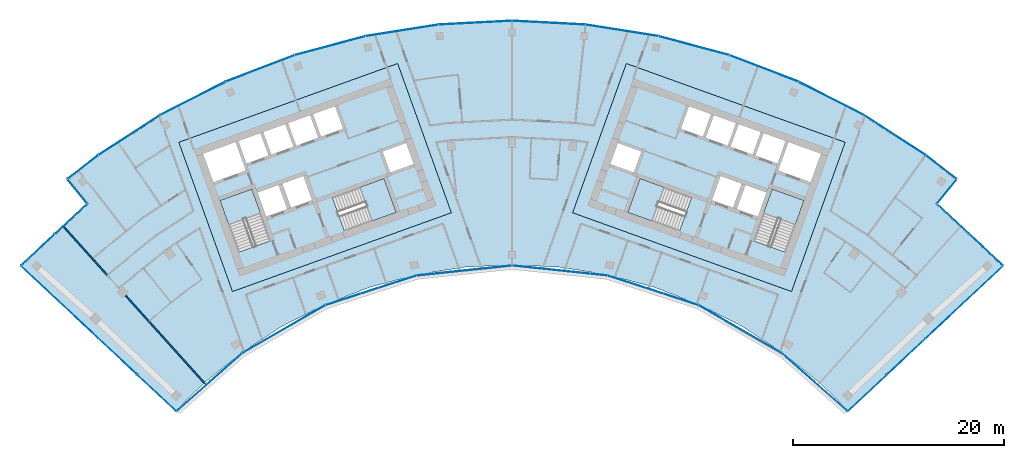
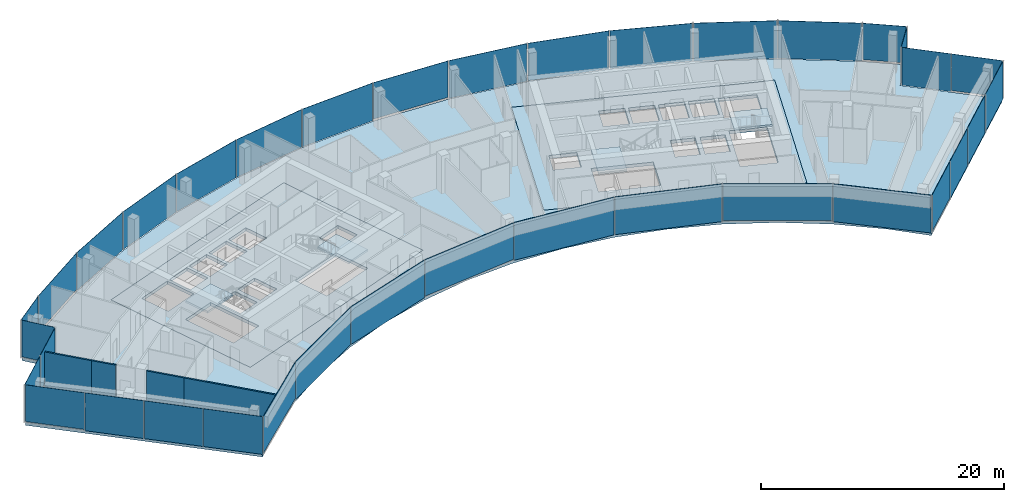
# One storey, part 11 of 18: 36 plates, 7 slabs, 4 walls, 12 elements without a shape of their own.
"""IFC4 building model written with IfcOpenShell, lengths in metres."""

from ifc_helpers import new_model, si_unit, direction, frame, frame_2d, origin, origin_2d, place, context, subcontext, project, spatial, polyline, rectangle, outline, extrude, material, layer, layer_set, type_object, element, aggregate, save


model = new_model("IFC4")

# Units and contexts
model_context = context("Model", 3, precision=1e-05, world=origin(), true_north=direction((0.0, 1.0)))
body_context = subcontext(model_context, "Body", "Model", "MODEL_VIEW")
ifc_project = project(units=[si_unit("LENGTHUNIT", "METRE"), si_unit("AREAUNIT", "SQUARE_METRE"), si_unit("VOLUMEUNIT", "CUBIC_METRE"), si_unit("PLANEANGLEUNIT", "RADIAN"), si_unit("MASSUNIT", "GRAM", prefix="KILO")], contexts=[model_context])

# Site, building, storey
site_placement = place(None, origin())
site = spatial("IfcSite", under=ifc_project, at=site_placement, CompositionType="ELEMENT")
building_placement = place(site_placement, origin())
building = spatial("IfcBuilding", under=site, at=building_placement, Name="Stone Belt Terrace Tower", CompositionType="ELEMENT")
storey_placement = place(building_placement, frame((0.0, 0.0, 299.800048828125)))
storey = spatial("IfcBuildingStorey", under=building, at=storey_placement, Name="L73", CompositionType="ELEMENT", Elevation=299.800048828125)

# Curtain wall, plates
ifc_material_1 = material(Name="Aluminium 6063-T6 anodised frame", Category="aluminium")
ifc_layer_1 = layer(ifc_material_1, 0.14990234375)
ifc_layer_set_1 = layer_set([ifc_layer_1], Name="CW-A unitised convex-face curtain wall")
curtain_wall_type_1 = type_object("IfcCurtainWallType", Name="CW-A unitised convex-face curtain wall", PredefinedType="NOTDEFINED", material=ifc_layer_set_1)
curtain_wall_1_placement = place(storey_placement, origin())
curtain_wall_1 = element("IfcCurtainWall", 1, at=curtain_wall_1_placement, inside=storey, type_object=curtain_wall_type_1, Name="CW-A convex face L73", PredefinedType="NOTDEFINED")
ifc_material_2 = material(Name="Clear double glazed unit")
ifc_layer_2 = layer(ifc_material_2, 0.031982421875)
ifc_layer_set_2 = layer_set([ifc_layer_2], Name="CW-A glass panel 32")
plate_type_1 = type_object("IfcPlateType", Name="CW-A glass panel 32", PredefinedType="CURTAIN_PANEL", material=ifc_layer_set_2)
plate_1_placement = place(storey_placement, frame((40.583251953125, 52.744140625, 0.14013671875), z_axis=(0.0, 0.0, 1.0), x_axis=(-0.792693871824, 0.60961990254, 0.0)))
plate_1 = element("IfcPlate", 2, at=plate_1_placement, type_object=plate_type_1, Name="CW-A panel 1.1", PredefinedType="CURTAIN_PANEL", context=body_context, shape_type="SweptSolid", body=[
    extrude(rectangle(XDim=3.597900390625, YDim=0.031982421875, at=origin_2d()), origin(), (0.0, 0.0, 1.0), 3.659912109375),
])
plate_2_placement = place(storey_placement, frame((36.209716796875, 55.758056640625, 0.0), z_axis=(0.0, 0.0, 1.0), x_axis=(-0.838670567945, 0.544639035015, 0.0)))
plate_2 = element("IfcPlate", 3, at=plate_2_placement, type_object=plate_type_1, Name="CW-A panel 2.1", PredefinedType="CURTAIN_PANEL", context=body_context, shape_type="SweptSolid", body=[
    extrude(rectangle(XDim=6.900634765625, YDim=0.031982421875, at=origin_2d()), origin(), (0.0, 0.0, 1.0), 3.800048828125),
])
plate_3_placement = place(storey_placement, frame((30.18310546875, 59.237548828125, 0.0), z_axis=(0.0, 0.0, 1.0), x_axis=(-0.891006524188, 0.45399049974, 0.0)))
plate_3 = element("IfcPlate", 4, at=plate_3_placement, type_object=plate_type_1, Name="CW-A panel 3.1", PredefinedType="CURTAIN_PANEL", context=body_context, shape_type="SweptSolid", body=[
    extrude(rectangle(XDim=6.90087890625, YDim=0.031982421875, at=origin_2d()), origin(), (0.0, 0.0, 1.0), 3.800048828125),
])
plate_4_placement = place(storey_placement, frame((23.82568359375, 62.068115234375, 0.0), z_axis=(0.0, 0.0, 1.0), x_axis=(-0.933580426497, 0.358367949545, 0.0)))
plate_4 = element("IfcPlate", 5, at=plate_4_placement, type_object=plate_type_1, Name="CW-A panel 4.1", PredefinedType="CURTAIN_PANEL", context=body_context, shape_type="SweptSolid", body=[
    extrude(rectangle(XDim=6.90087890625, YDim=0.031982421875, at=origin_2d()), origin(), (0.0, 0.0, 1.0), 3.800048828125),
])
plate_5_placement = place(storey_placement, frame((17.207275390625, 64.218505859375, 0.0), z_axis=(0.0, 0.0, 1.0), x_axis=(-0.965925826289, 0.258819045103, 0.0)))
plate_5 = element("IfcPlate", 6, at=plate_5_placement, type_object=plate_type_1, Name="CW-A panel 5.1", PredefinedType="CURTAIN_PANEL", context=body_context, shape_type="SweptSolid", body=[
    extrude(rectangle(XDim=6.90087890625, YDim=0.031982421875, at=origin_2d()), origin(), (0.0, 0.0, 1.0), 3.800048828125),
])
plate_6_placement = place(storey_placement, frame((10.400390625, 65.665283203125, 0.0), z_axis=(0.0, 0.0, 1.0), x_axis=(-0.987688340595, 0.15643446504, 0.0)))
plate_6 = element("IfcPlate", 7, at=plate_6_placement, type_object=plate_type_1, Name="CW-A panel 6.1", PredefinedType="CURTAIN_PANEL", context=body_context, shape_type="SweptSolid", body=[
    extrude(rectangle(XDim=6.90087890625, YDim=0.031982421875, at=origin_2d()), origin(), (0.0, 0.0, 1.0), 3.800048828125),
])
plate_7_placement = place(storey_placement, frame((3.4794921875, 66.392822265625, 0.14013671875), z_axis=(0.0, 0.0, 1.0), x_axis=(-0.998629534755, 0.052335956243, 0.0)))
plate_7 = element("IfcPlate", 8, at=plate_7_placement, type_object=plate_type_1, Name="CW-A panel 7.1", PredefinedType="CURTAIN_PANEL", context=body_context, shape_type="SweptSolid", body=[
    extrude(rectangle(XDim=6.90087890625, YDim=0.031982421875, at=origin_2d()), origin(), (0.0, 0.0, 1.0), 3.659912109375),
])
plate_8_placement = place(storey_placement, frame((-3.4794921875, 66.392822265625, 0.0), z_axis=(0.0, 0.0, 1.0), x_axis=(-0.998629534755, -0.052335956243, 0.0)))
plate_8 = element("IfcPlate", 9, at=plate_8_placement, type_object=plate_type_1, Name="CW-A panel 8.1", PredefinedType="CURTAIN_PANEL", context=body_context, shape_type="SweptSolid", body=[
    extrude(rectangle(XDim=6.90087890625, YDim=0.031982421875, at=origin_2d()), origin(), (0.0, 0.0, 1.0), 3.800048828125),
])
plate_9_placement = place(storey_placement, frame((-10.400390625, 65.665283203125, 0.0), z_axis=(0.0, 0.0, 1.0), x_axis=(-0.987688340595, -0.15643446504, 0.0)))
plate_9 = element("IfcPlate", 10, at=plate_9_placement, type_object=plate_type_1, Name="CW-A panel 9.1", PredefinedType="CURTAIN_PANEL", context=body_context, shape_type="SweptSolid", body=[
    extrude(rectangle(XDim=6.90087890625, YDim=0.031982421875, at=origin_2d()), origin(), (0.0, 0.0, 1.0), 3.800048828125),
])
plate_10_placement = place(storey_placement, frame((-17.207275390625, 64.218505859375, 0.0), z_axis=(0.0, 0.0, 1.0), x_axis=(-0.965925826289, -0.258819045103, 0.0)))
plate_10 = element("IfcPlate", 11, at=plate_10_placement, type_object=plate_type_1, Name="CW-A panel 10.1", PredefinedType="CURTAIN_PANEL", context=body_context, shape_type="SweptSolid", body=[
    extrude(rectangle(XDim=6.90087890625, YDim=0.031982421875, at=origin_2d()), origin(), (0.0, 0.0, 1.0), 3.800048828125),
])
plate_11_placement = place(storey_placement, frame((-23.82568359375, 62.068115234375, 0.0), z_axis=(0.0, 0.0, 1.0), x_axis=(-0.933580426497, -0.358367949545, 0.0)))
plate_11 = element("IfcPlate", 12, at=plate_11_placement, type_object=plate_type_1, Name="CW-A panel 11.1", PredefinedType="CURTAIN_PANEL", context=body_context, shape_type="SweptSolid", body=[
    extrude(rectangle(XDim=6.90087890625, YDim=0.031982421875, at=origin_2d()), origin(), (0.0, 0.0, 1.0), 3.800048828125),
])
plate_12_placement = place(storey_placement, frame((-30.18310546875, 59.237548828125, 0.0), z_axis=(0.0, 0.0, 1.0), x_axis=(-0.891006524188, -0.45399049974, 0.0)))
plate_12 = element("IfcPlate", 13, at=plate_12_placement, type_object=plate_type_1, Name="CW-A panel 12.1", PredefinedType="CURTAIN_PANEL", context=body_context, shape_type="SweptSolid", body=[
    extrude(rectangle(XDim=6.90087890625, YDim=0.031982421875, at=origin_2d()), origin(), (0.0, 0.0, 1.0), 3.800048828125),
])
plate_13_placement = place(storey_placement, frame((-36.209716796875, 55.758056640625, 0.14013671875), z_axis=(0.0, 0.0, 1.0), x_axis=(-0.838670567945, -0.544639035015, 0.0)))
plate_13 = element("IfcPlate", 14, at=plate_13_placement, type_object=plate_type_1, Name="CW-A panel 13.1", PredefinedType="CURTAIN_PANEL", context=body_context, shape_type="SweptSolid", body=[
    extrude(rectangle(XDim=6.900634765625, YDim=0.031982421875, at=origin_2d()), origin(), (0.0, 0.0, 1.0), 3.659912109375),
])
plate_14_placement = place(storey_placement, frame((-40.583251953125, 52.744140625, 0.0), z_axis=(0.0, 0.0, 1.0), x_axis=(-0.792693871824, -0.60961990254, 0.0)))
plate_14 = element("IfcPlate", 15, at=plate_14_placement, type_object=plate_type_1, Name="CW-A panel 14.1", PredefinedType="CURTAIN_PANEL", context=body_context, shape_type="SweptSolid", body=[
    extrude(rectangle(XDim=3.597900390625, YDim=0.031982421875, at=origin_2d()), origin(), (0.0, 0.0, 1.0), 3.800048828125),
])
aggregate(curtain_wall_1, [plate_1, plate_2, plate_3, plate_4, plate_5, plate_6, plate_7, plate_8, plate_9, plate_10, plate_11, plate_12, plate_13, plate_14])

ifc_layer_3 = layer(ifc_material_1, 0.14990234375)
ifc_layer_set_3 = layer_set([ifc_layer_3], Name="CW-B unitised concave-face curtain wall")
curtain_wall_type_2 = type_object("IfcCurtainWallType", Name="CW-B unitised concave-face curtain wall", PredefinedType="NOTDEFINED", material=ifc_layer_set_3)
curtain_wall_2_placement = place(storey_placement, origin())
curtain_wall_2 = element("IfcCurtainWall", 16, at=curtain_wall_2_placement, inside=storey, type_object=curtain_wall_type_2, Name="CW-B concave face L73", PredefinedType="NOTDEFINED")
ifc_layer_4 = layer(ifc_material_2, 0.030029296875)
ifc_layer_set_4 = layer_set([ifc_layer_4], Name="CW-B glass panel 30")
plate_type_2 = type_object("IfcPlateType", Name="CW-B glass panel 30", PredefinedType="CURTAIN_PANEL", material=ifc_layer_set_4)
plate_15_placement = place(storey_placement, frame((-28.624755859375, 32.39404296875, 0.1201171875), z_axis=(0.0, 0.0, 1.0), x_axis=(0.749658646805, 0.661824684694, 0.0)))
plate_15 = element("IfcPlate", 17, at=plate_15_placement, type_object=plate_type_2, Name="CW-B panel 1.1", PredefinedType="CURTAIN_PANEL", context=body_context, shape_type="SweptSolid", body=[
    extrude(rectangle(XDim=8.2060546875, YDim=0.030029296875, at=origin_2d()), origin(), (0.0, 0.0, 1.0), 3.679931640625),
])
plate_16_placement = place(storey_placement, frame((-21.59375, 37.400634765625, 0.0), z_axis=(0.0, 0.0, 1.0), x_axis=(0.866025403784, 0.5, 0.0)))
plate_16 = element("IfcPlate", 18, at=plate_16_placement, type_object=plate_type_2, Name="CW-B panel 2.1", PredefinedType="CURTAIN_PANEL", context=body_context, shape_type="SweptSolid", body=[
    extrude(rectangle(XDim=9.013427734375, YDim=0.030029296875, at=origin_2d()), origin(), (0.0, 0.0, 1.0), 3.800048828125),
])
plate_17_placement = place(storey_placement, frame((-13.345458984375, 41.072998046875, 0.0), z_axis=(0.0, 0.0, 1.0), x_axis=(0.951056516295, 0.309016994375, 0.0)))
plate_17 = element("IfcPlate", 19, at=plate_17_placement, type_object=plate_type_2, Name="CW-B panel 3.1", PredefinedType="CURTAIN_PANEL", context=body_context, shape_type="SweptSolid", body=[
    extrude(rectangle(XDim=9.0126953125, YDim=0.030029296875, at=origin_2d()), origin(), (0.0, 0.0, 1.0), 3.800048828125),
])
plate_18_placement = place(storey_placement, frame((-4.51416015625, 42.9501953125, 0.1201171875), z_axis=(0.0, 0.0, 1.0), x_axis=(0.994521895368, 0.104528463268, 0.0)))
plate_18 = element("IfcPlate", 20, at=plate_18_placement, type_object=plate_type_2, Name="CW-B panel 4.1", PredefinedType="CURTAIN_PANEL", context=body_context, shape_type="SweptSolid", body=[
    extrude(rectangle(XDim=9.0126953125, YDim=0.030029296875, at=origin_2d()), origin(), (0.0, 0.0, 1.0), 3.679931640625),
])
plate_19_placement = place(storey_placement, frame((4.51416015625, 42.9501953125, 0.0), z_axis=(0.0, 0.0, 1.0), x_axis=(0.994521895368, -0.104528463268, 0.0)))
plate_19 = element("IfcPlate", 21, at=plate_19_placement, type_object=plate_type_2, Name="CW-B panel 5.1", PredefinedType="CURTAIN_PANEL", context=body_context, shape_type="SweptSolid", body=[
    extrude(rectangle(XDim=9.0126953125, YDim=0.030029296875, at=origin_2d()), origin(), (0.0, 0.0, 1.0), 3.800048828125),
])
plate_20_placement = place(storey_placement, frame((13.345458984375, 41.072998046875, 0.0), z_axis=(0.0, 0.0, 1.0), x_axis=(0.951056516295, -0.309016994375, 0.0)))
plate_20 = element("IfcPlate", 22, at=plate_20_placement, type_object=plate_type_2, Name="CW-B panel 6.1", PredefinedType="CURTAIN_PANEL", context=body_context, shape_type="SweptSolid", body=[
    extrude(rectangle(XDim=9.0126953125, YDim=0.030029296875, at=origin_2d()), origin(), (0.0, 0.0, 1.0), 3.800048828125),
])
plate_21_placement = place(storey_placement, frame((21.59375, 37.400634765625, 0.1201171875), z_axis=(0.0, 0.0, 1.0), x_axis=(0.866025403784, -0.5, 0.0)))
plate_21 = element("IfcPlate", 23, at=plate_21_placement, type_object=plate_type_2, Name="CW-B panel 7.1", PredefinedType="CURTAIN_PANEL", context=body_context, shape_type="SweptSolid", body=[
    extrude(rectangle(XDim=9.013427734375, YDim=0.030029296875, at=origin_2d()), origin(), (0.0, 0.0, 1.0), 3.679931640625),
])
plate_22_placement = place(storey_placement, frame((28.624755859375, 32.39404296875, 0.0), z_axis=(0.0, 0.0, 1.0), x_axis=(0.749658646805, -0.661824684694, 0.0)))
plate_22 = element("IfcPlate", 24, at=plate_22_placement, type_object=plate_type_2, Name="CW-B panel 8.1", PredefinedType="CURTAIN_PANEL", context=body_context, shape_type="SweptSolid", body=[
    extrude(rectangle(XDim=8.2060546875, YDim=0.030029296875, at=origin_2d()), origin(), (0.0, 0.0, 1.0), 3.800048828125),
])
aggregate(curtain_wall_2, [plate_15, plate_16, plate_17, plate_18, plate_19, plate_20, plate_21, plate_22])

ifc_layer_5 = layer(ifc_material_1, 0.14990234375)
ifc_layer_set_5 = layer_set([ifc_layer_5], Name="CW-C stick curtain wall, horn ends and notches")
curtain_wall_type_3 = type_object("IfcCurtainWallType", Name="CW-C stick curtain wall, horn ends and notches", PredefinedType="NOTDEFINED", material=ifc_layer_set_5)
curtain_wall_3_placement = place(storey_placement, origin())
curtain_wall_3 = element("IfcCurtainWall", 25, at=curtain_wall_3_placement, inside=storey, type_object=curtain_wall_type_3, Name="CW-C end face L73", PredefinedType="NOTDEFINED")
ifc_layer_6 = layer(ifc_material_2, 0.028076171875)
ifc_layer_set_6 = layer_set([ifc_layer_6], Name="CW-C glass panel 28")
plate_type_3 = type_object("IfcPlateType", Name="CW-C glass panel 28", PredefinedType="CURTAIN_PANEL", material=ifc_layer_set_6)
plate_23_placement = place(storey_placement, frame((33.617431640625, 31.3798828125, 0.1201171875), z_axis=(0.0, 0.0, 1.0), x_axis=(0.729904219708, 0.683549434973, 0.0)))
plate_23 = element("IfcPlate", 26, at=plate_23_placement, type_object=plate_type_3, Name="CW-C panel 1.1", PredefinedType="CURTAIN_PANEL", context=body_context, shape_type="SweptSolid", body=[
    extrude(rectangle(XDim=4.965576171875, YDim=0.028076171875, at=origin_2d()), origin(), (0.0, 0.0, 1.0), 3.679931640625),
])
plate_24_placement = place(storey_placement, frame((37.2763671875, 34.806396484375, 0.0), z_axis=(0.0, 0.0, 1.0), x_axis=(0.729904219708, 0.683549434973, 0.0)))
plate_24 = element("IfcPlate", 27, at=plate_24_placement, type_object=plate_type_3, Name="CW-C panel 2.1", PredefinedType="CURTAIN_PANEL", context=body_context, shape_type="SweptSolid", body=[
    extrude(rectangle(XDim=4.93994140625, YDim=0.028076171875, at=origin_2d()), origin(), (0.0, 0.0, 1.0), 3.800048828125),
])
plate_25_placement = place(storey_placement, frame((40.92578125, 38.22412109375, 0.0), z_axis=(0.0, 0.0, 1.0), x_axis=(0.729904219708, 0.683549434973, 0.0)))
plate_25 = element("IfcPlate", 28, at=plate_25_placement, type_object=plate_type_3, Name="CW-C panel 3.1", PredefinedType="CURTAIN_PANEL", context=body_context, shape_type="SweptSolid", body=[
    extrude(rectangle(XDim=4.93994140625, YDim=0.028076171875, at=origin_2d()), origin(), (0.0, 0.0, 1.0), 3.800048828125),
])
plate_26_placement = place(storey_placement, frame((44.588134765625, 41.65380859375, 0.0), z_axis=(0.0, 0.0, 1.0), x_axis=(0.729904219708, 0.683549434973, 0.0)))
plate_26 = element("IfcPlate", 29, at=plate_26_placement, type_object=plate_type_3, Name="CW-C panel 4.1", PredefinedType="CURTAIN_PANEL", context=body_context, shape_type="SweptSolid", body=[
    extrude(rectangle(XDim=4.974853515625, YDim=0.028076171875, at=origin_2d()), origin(), (0.0, 0.0, 1.0), 3.800048828125),
])
aggregate(curtain_wall_3, [plate_23, plate_24, plate_25, plate_26])

curtain_wall_4_placement = place(storey_placement, origin())
curtain_wall_4 = element("IfcCurtainWall", 30, at=curtain_wall_4_placement, inside=storey, type_object=curtain_wall_type_3, Name="CW-C notch face L73", PredefinedType="NOTDEFINED")
plate_27_placement = place(storey_placement, frame((44.8427734375, 44.91259765625, 0.1201171875), z_axis=(0.0, 0.0, 1.0), x_axis=(-0.731339333871, 0.682013767261, 0.0)))
plate_27 = element("IfcPlate", 31, at=plate_27_placement, type_object=plate_type_3, Name="CW-C panel 1.1", PredefinedType="CURTAIN_PANEL", context=body_context, shape_type="SweptSolid", body=[
    extrude(rectangle(XDim=4.268798828125, YDim=0.028076171875, at=origin_2d()), origin(), (0.0, 0.0, 1.0), 3.679931640625),
])
plate_28_placement = place(storey_placement, frame((41.731201171875, 47.814208984375, 0.0), z_axis=(0.0, 0.0, 1.0), x_axis=(-0.731339333871, 0.682013767261, 0.0)))
plate_28 = element("IfcPlate", 32, at=plate_28_placement, type_object=plate_type_3, Name="CW-C panel 2.1", PredefinedType="CURTAIN_PANEL", context=body_context, shape_type="SweptSolid", body=[
    extrude(rectangle(XDim=4.12060546875, YDim=0.028076171875, at=origin_2d()), origin(), (0.0, 0.0, 1.0), 3.800048828125),
])
aggregate(curtain_wall_4, [plate_27, plate_28])

# Curtain wall, plate
curtain_wall_5_placement = place(storey_placement, origin())
curtain_wall_5 = element("IfcCurtainWall", 33, at=curtain_wall_5_placement, inside=storey, type_object=curtain_wall_type_3, Name="CW-C notch face L73", PredefinedType="NOTDEFINED")
plate_29_placement = place(storey_placement, frame((41.119140625, 50.43505859375, 0.1201171875), z_axis=(0.0, 0.0, 1.0), x_axis=(0.631001485542, 0.775781622136, 0.0)))
plate_29 = element("IfcPlate", 34, at=plate_29_placement, type_object=plate_type_3, Name="CW-C panel 1.1", PredefinedType="CURTAIN_PANEL", context=body_context, shape_type="SweptSolid", body=[
    extrude(rectangle(XDim=2.859130859375, YDim=0.028076171875, at=origin_2d()), origin(), (0.0, 0.0, 1.0), 3.679931640625),
])
aggregate(curtain_wall_5, [plate_29])

curtain_wall_6_placement = place(storey_placement, origin())
curtain_wall_6 = element("IfcCurtainWall", 35, at=curtain_wall_6_placement, inside=storey, type_object=curtain_wall_type_3, Name="CW-C notch face L73", PredefinedType="NOTDEFINED")
plate_30_placement = place(storey_placement, frame((-41.119140625, 50.43505859375, 0.1201171875), z_axis=(0.0, 0.0, 1.0), x_axis=(0.631001485542, -0.775781622136, 0.0)))
plate_30 = element("IfcPlate", 36, at=plate_30_placement, type_object=plate_type_3, Name="CW-C panel 1.1", PredefinedType="CURTAIN_PANEL", context=body_context, shape_type="SweptSolid", body=[
    extrude(rectangle(XDim=2.859130859375, YDim=0.028076171875, at=origin_2d()), origin(), (0.0, 0.0, 1.0), 3.679931640625),
])
aggregate(curtain_wall_6, [plate_30])

# Curtain wall, plates
curtain_wall_7_placement = place(storey_placement, origin())
curtain_wall_7 = element("IfcCurtainWall", 37, at=curtain_wall_7_placement, inside=storey, type_object=curtain_wall_type_3, Name="CW-C notch face L73", PredefinedType="NOTDEFINED")
plate_31_placement = place(storey_placement, frame((-41.731201171875, 47.814208984375, 0.1201171875), z_axis=(0.0, 0.0, 1.0), x_axis=(-0.731339333871, -0.682013767261, 0.0)))
plate_31 = element("IfcPlate", 38, at=plate_31_placement, type_object=plate_type_3, Name="CW-C panel 1.1", PredefinedType="CURTAIN_PANEL", context=body_context, shape_type="SweptSolid", body=[
    extrude(rectangle(XDim=4.12060546875, YDim=0.028076171875, at=origin_2d()), origin(), (0.0, 0.0, 1.0), 3.679931640625),
])
plate_32_placement = place(storey_placement, frame((-44.8427734375, 44.91259765625, 0.0), z_axis=(0.0, 0.0, 1.0), x_axis=(-0.731339333871, -0.682013767261, 0.0)))
plate_32 = element("IfcPlate", 39, at=plate_32_placement, type_object=plate_type_3, Name="CW-C panel 2.1", PredefinedType="CURTAIN_PANEL", context=body_context, shape_type="SweptSolid", body=[
    extrude(rectangle(XDim=4.268798828125, YDim=0.028076171875, at=origin_2d()), origin(), (0.0, 0.0, 1.0), 3.800048828125),
])
aggregate(curtain_wall_7, [plate_31, plate_32])

curtain_wall_8_placement = place(storey_placement, origin())
curtain_wall_8 = element("IfcCurtainWall", 40, at=curtain_wall_8_placement, inside=storey, type_object=curtain_wall_type_3, Name="CW-C end face L73", PredefinedType="NOTDEFINED")
plate_33_placement = place(storey_placement, frame((-44.588134765625, 41.65380859375, 0.1201171875), z_axis=(0.0, 0.0, 1.0), x_axis=(0.729904219708, -0.683549434973, 0.0)))
plate_33 = element("IfcPlate", 41, at=plate_33_placement, type_object=plate_type_3, Name="CW-C panel 1.1", PredefinedType="CURTAIN_PANEL", context=body_context, shape_type="SweptSolid", body=[
    extrude(rectangle(XDim=4.974853515625, YDim=0.028076171875, at=origin_2d()), origin(), (0.0, 0.0, 1.0), 3.679931640625),
])
plate_34_placement = place(storey_placement, frame((-40.92578125, 38.22412109375, 0.0), z_axis=(0.0, 0.0, 1.0), x_axis=(0.729904219708, -0.683549434973, 0.0)))
plate_34 = element("IfcPlate", 42, at=plate_34_placement, type_object=plate_type_3, Name="CW-C panel 2.1", PredefinedType="CURTAIN_PANEL", context=body_context, shape_type="SweptSolid", body=[
    extrude(rectangle(XDim=4.93994140625, YDim=0.028076171875, at=origin_2d()), origin(), (0.0, 0.0, 1.0), 3.800048828125),
])
plate_35_placement = place(storey_placement, frame((-37.2763671875, 34.806396484375, 0.0), z_axis=(0.0, 0.0, 1.0), x_axis=(0.729904219708, -0.683549434973, 0.0)))
plate_35 = element("IfcPlate", 43, at=plate_35_placement, type_object=plate_type_3, Name="CW-C panel 3.1", PredefinedType="CURTAIN_PANEL", context=body_context, shape_type="SweptSolid", body=[
    extrude(rectangle(XDim=4.93994140625, YDim=0.028076171875, at=origin_2d()), origin(), (0.0, 0.0, 1.0), 3.800048828125),
])
plate_36_placement = place(storey_placement, frame((-33.617431640625, 31.3798828125, 0.0), z_axis=(0.0, 0.0, 1.0), x_axis=(0.729904219708, -0.683549434973, 0.0)))
plate_36 = element("IfcPlate", 44, at=plate_36_placement, type_object=plate_type_3, Name="CW-C panel 4.1", PredefinedType="CURTAIN_PANEL", context=body_context, shape_type="SweptSolid", body=[
    extrude(rectangle(XDim=4.965576171875, YDim=0.028076171875, at=origin_2d()), origin(), (0.0, 0.0, 1.0), 3.800048828125),
])
aggregate(curtain_wall_8, [plate_33, plate_34, plate_35, plate_36])

# Slabs
ifc_material_3 = material(Name="Concrete B40", Category="concrete")
ifc_layer_7 = layer(ifc_material_3, 0.320068359375)
ifc_layer_set_7 = layer_set([ifc_layer_7], Name="Core floor slab 320")
slab_type_1 = type_object("IfcSlabType", Name="Core floor slab 320", PredefinedType="FLOOR", material=ifc_layer_set_7)
slab_1_placement = place(storey_placement, frame((0.0, 0.0, -0.320068359375)))
element("IfcSlab", 45, at=slab_1_placement, inside=storey, type_object=slab_type_1, Name="Core A floor L73", PredefinedType="FLOOR", context=body_context, shape_type="SweptSolid", body=[
    extrude(outline(polyline([(-26.43505859375, 40.968994140625), (-5.735107421875, 48.4189453125), (-10.81396484375, 62.531982421875), (-31.513916015625, 55.0830078125), (-26.43505859375, 40.968994140625)]), holes=[polyline([(-24.60791015625, 50.659912109375), (-22.847900390625, 45.76806640625), (-25.85888671875, 44.68408203125), (-27.618896484375, 49.575927734375), (-24.60791015625, 50.659912109375)]), polyline([(-10.955078125, 48.452880859375), (-15.846923828125, 46.69189453125), (-16.998046875, 49.89208984375), (-12.10595703125, 51.652099609375), (-10.955078125, 48.452880859375)]), polyline([(-22.0869140625, 51.035888671875), (-21.27392578125, 48.778076171875), (-23.25, 48.06689453125), (-24.06298828125, 50.324951171875), (-22.0869140625, 51.035888671875)]), polyline([(-18.922119140625, 49.6240234375), (-20.89794921875, 48.9130859375), (-21.7109375, 51.1708984375), (-19.735107421875, 51.883056640625), (-18.922119140625, 49.6240234375)]), polyline([(-29.2109375, 53.9990234375), (-26.153076171875, 55.09912109375), (-25.18798828125, 52.41796875), (-28.24609375, 51.31689453125), (-29.2109375, 53.9990234375)]), polyline([(-10.01904296875, 55.007080078125), (-9.30810546875, 53.031005859375), (-11.51904296875, 52.235107421875), (-12.22998046875, 54.2109375), (-10.01904296875, 55.007080078125)]), polyline([(-25.87109375, 55.200927734375), (-23.801025390625, 55.946044921875), (-23.0390625, 53.8291015625), (-25.10888671875, 53.083984375), (-25.87109375, 55.200927734375)]), polyline([(-23.51806640625, 56.047119140625), (-21.447998046875, 56.7919921875), (-20.68603515625, 54.675048828125), (-22.756103515625, 53.929931640625), (-23.51806640625, 56.047119140625)]), polyline([(-19.095947265625, 57.638916015625), (-18.333984375, 55.52197265625), (-20.404052734375, 54.777099609375), (-21.166015625, 56.89404296875), (-19.095947265625, 57.638916015625)]), polyline([(-16.743896484375, 58.485107421875), (-15.98193359375, 56.367919921875), (-18.052001953125, 55.623046875), (-18.81396484375, 57.739990234375), (-16.743896484375, 58.485107421875)])]), origin(), (0.0, 0.0, 1.0), 0.320068359375),
])
slab_2_placement = place(storey_placement, frame((0.0, 0.0, -0.320068359375)))
element("IfcSlab", 46, at=slab_2_placement, inside=storey, type_object=slab_type_1, Name="Core B floor L73", PredefinedType="FLOOR", context=body_context, shape_type="SweptSolid", body=[
    extrude(outline(polyline([(26.43505859375, 40.968994140625), (31.513916015625, 55.0830078125), (10.81396484375, 62.531982421875), (5.735107421875, 48.4189453125), (26.43505859375, 40.968994140625)]), holes=[polyline([(27.618896484375, 49.575927734375), (25.85888671875, 44.68408203125), (22.847900390625, 45.76806640625), (24.60791015625, 50.659912109375), (27.618896484375, 49.575927734375)]), polyline([(12.10595703125, 51.652099609375), (16.998046875, 49.89208984375), (15.846923828125, 46.69189453125), (10.955078125, 48.452880859375), (12.10595703125, 51.652099609375)]), polyline([(23.25, 48.06689453125), (21.27392578125, 48.778076171875), (22.0869140625, 51.035888671875), (24.06298828125, 50.324951171875), (23.25, 48.06689453125)]), polyline([(18.922119140625, 49.6240234375), (19.735107421875, 51.883056640625), (21.7109375, 51.1708984375), (20.89794921875, 48.9130859375), (18.922119140625, 49.6240234375)]), polyline([(29.2109375, 53.9990234375), (28.24609375, 51.31689453125), (25.18798828125, 52.41796875), (26.153076171875, 55.09912109375), (29.2109375, 53.9990234375)]), polyline([(11.51904296875, 52.235107421875), (9.30810546875, 53.031005859375), (10.01904296875, 55.007080078125), (12.22998046875, 54.2109375), (11.51904296875, 52.235107421875)]), polyline([(23.0390625, 53.8291015625), (23.801025390625, 55.946044921875), (25.87109375, 55.200927734375), (25.10888671875, 53.083984375), (23.0390625, 53.8291015625)]), polyline([(20.68603515625, 54.675048828125), (21.447998046875, 56.7919921875), (23.51806640625, 56.047119140625), (22.756103515625, 53.929931640625), (20.68603515625, 54.675048828125)]), polyline([(19.095947265625, 57.638916015625), (21.166015625, 56.89404296875), (20.404052734375, 54.777099609375), (18.333984375, 55.52197265625), (19.095947265625, 57.638916015625)]), polyline([(16.743896484375, 58.485107421875), (18.81396484375, 57.739990234375), (18.052001953125, 55.623046875), (15.98193359375, 56.367919921875), (16.743896484375, 58.485107421875)])]), origin(), (0.0, 0.0, 1.0), 0.320068359375),
])
ifc_layer_8 = layer(ifc_material_3, 0.320068359375)
ifc_layer_set_8 = layer_set([ifc_layer_8], Name="Floor slab 320 B40")
slab_type_2 = type_object("IfcSlabType", Name="Floor slab 320 B40", PredefinedType="FLOOR", material=ifc_layer_set_8)
slab_3_placement = place(storey_placement, frame((0.0, 0.0, -0.320068359375)))
element("IfcSlab", 47, at=slab_3_placement, inside=storey, type_object=slab_type_2, Name="Floor slab L73", PredefinedType="FLOOR", context=body_context, shape_type="SweptSolid", body=[
    extrude(outline(polyline([(-40.068603515625, 49.26220703125), (-41.961669921875, 51.589599609375), (-39.087646484375, 53.799560546875), (-33.25, 57.5908203125), (-27.048095703125, 60.750732421875), (-20.549560546875, 63.245361328125), (-13.826171875, 65.046875), (-6.951171875, 66.1357421875), (0.0, 66.5), (6.951171875, 66.1357421875), (13.826171875, 65.046875), (20.549560546875, 63.245361328125), (27.048095703125, 60.750732421875), (33.25, 57.5908203125), (39.087646484375, 53.799560546875), (41.961669921875, 51.589599609375), (40.068603515625, 49.26220703125), (46.348876953125, 43.405517578125), (31.750732421875, 29.734375), (29.107177734375, 32.326904296875), (25.568603515625, 35.192138671875), (21.75, 37.672119140625), (17.693115234375, 39.7392578125), (13.442138671875, 41.37109375), (9.044189453125, 42.54931640625), (4.547119140625, 43.26171875), (0.0, 43.5), (-4.547119140625, 43.26171875), (-9.044189453125, 42.54931640625), (-13.442138671875, 41.37109375), (-17.693115234375, 39.7392578125), (-21.75, 37.672119140625), (-25.568603515625, 35.192138671875), (-29.107177734375, 32.326904296875), (-31.750732421875, 29.734375), (-46.348876953125, 43.405517578125), (-40.068603515625, 49.26220703125)]), holes=[polyline([(-10.81396484375, 62.532470703125), (-31.51416015625, 55.082763671875), (-26.434814453125, 40.968994140625), (-5.734619140625, 48.418701171875), (-10.81396484375, 62.532470703125)]), polyline([(26.434814453125, 40.968994140625), (31.51416015625, 55.082763671875), (10.81396484375, 62.532470703125), (5.734619140625, 48.418701171875), (26.434814453125, 40.968994140625)])]), origin(), (0.0, 0.0, 1.0), 0.320068359375),
])

# Stair, slab
stair_type = type_object("IfcStairType", Name="Exit stair 1500", PredefinedType="HALF_TURN_STAIR", material=ifc_material_3)
stair_1_placement = place(storey_placement, origin())
stair_1 = element("IfcStair", 48, at=stair_1_placement, inside=storey, type_object=stair_type, Name="L73 Exit stair 1 core A", PredefinedType="HALF_TURN_STAIR")
ifc_layer_9 = layer(ifc_material_3, 0.199951171875)
ifc_layer_set_9 = layer_set([ifc_layer_9], Name="Stair landing 200")
slab_type_3 = type_object("IfcSlabType", Name="Stair landing 200", PredefinedType="LANDING", material=ifc_layer_set_9)
slab_4_placement = place(storey_placement, frame((0.0, 0.0, 1.699951171875)))
slab_4 = element("IfcSlab", 49, at=slab_4_placement, type_object=slab_type_3, Name="ST1A landing 1", PredefinedType="LANDING", context=body_context, shape_type="SweptSolid", body=[
    extrude(outline(polyline([(-23.79541015625, 48.40087890625), (-24.6083984375, 50.659912109375), (-27.619384765625, 49.576171875), (-26.806396484375, 47.3173828125), (-23.79541015625, 48.40087890625)])), origin(), (0.0, 0.0, 1.0), 0.199951171875),
])
aggregate(stair_1, [slab_4])

stair_2_placement = place(storey_placement, origin())
stair_2 = element("IfcStair", 50, at=stair_2_placement, inside=storey, type_object=stair_type, Name="L73 Exit stair 2 core A", PredefinedType="HALF_TURN_STAIR")
slab_5_placement = place(storey_placement, frame((0.0, 0.0, 1.699951171875)))
slab_5 = element("IfcSlab", 51, at=slab_5_placement, type_object=slab_type_3, Name="ST2A landing 1", PredefinedType="LANDING", context=body_context, shape_type="SweptSolid", body=[
    extrude(outline(polyline([(-13.213623046875, 47.64013671875), (-10.95458984375, 48.453125), (-12.10595703125, 51.652099609375), (-14.36474609375, 50.839111328125), (-13.213623046875, 47.64013671875)])), origin(), (0.0, 0.0, 1.0), 0.199951171875),
])
aggregate(stair_2, [slab_5])

stair_3_placement = place(storey_placement, origin())
stair_3 = element("IfcStair", 52, at=stair_3_placement, inside=storey, type_object=stair_type, Name="L73 Exit stair 1 core B", PredefinedType="HALF_TURN_STAIR")
slab_6_placement = place(storey_placement, frame((0.0, 0.0, 1.699951171875)))
slab_6 = element("IfcSlab", 53, at=slab_6_placement, type_object=slab_type_3, Name="ST1B landing 1", PredefinedType="LANDING", context=body_context, shape_type="SweptSolid", body=[
    extrude(outline(polyline([(26.806396484375, 47.3173828125), (27.619384765625, 49.576171875), (24.6083984375, 50.659912109375), (23.79541015625, 48.40087890625), (26.806396484375, 47.3173828125)])), origin(), (0.0, 0.0, 1.0), 0.199951171875),
])
aggregate(stair_3, [slab_6])

stair_4_placement = place(storey_placement, origin())
stair_4 = element("IfcStair", 54, at=stair_4_placement, inside=storey, type_object=stair_type, Name="L73 Exit stair 2 core B", PredefinedType="HALF_TURN_STAIR")
slab_7_placement = place(storey_placement, frame((0.0, 0.0, 1.699951171875)))
slab_7 = element("IfcSlab", 55, at=slab_7_placement, type_object=slab_type_3, Name="ST2B landing 1", PredefinedType="LANDING", context=body_context, shape_type="SweptSolid", body=[
    extrude(outline(polyline([(14.36474609375, 50.839111328125), (12.10595703125, 51.652099609375), (10.95458984375, 48.453125), (13.213623046875, 47.64013671875), (14.36474609375, 50.839111328125)])), origin(), (0.0, 0.0, 1.0), 0.199951171875),
])
aggregate(stair_4, [slab_7])

# Walls
ifc_material_4 = material(Name="Gypsum board partition")
ifc_layer_10 = layer(ifc_material_4, 0.14990234375)
ifc_layer_set_10 = layer_set([ifc_layer_10], Name="PARTITION 150 EI 60")
wall_type = type_object("IfcWallType", Name="PARTITION 150 EI 60", PredefinedType="PARTITIONING", material=ifc_layer_set_10)
wall_1_placement = place(storey_placement, frame((-34.35009765625, 38.14892578125, 0.0), z_axis=(0.0, 0.0, 1.0), x_axis=(0.669114241799, -0.743159559867, 0.0)))
element("IfcWall", 56, at=wall_1_placement, inside=storey, type_object=wall_type, Name="L73/wall/i043", PredefinedType="PARTITIONING", context=body_context, shape_type="SweptSolid", body=[
    extrude(rectangle(XDim=8.028564453125, YDim=0.14990234375, at=frame_2d((4.01416015625, 0.0))), origin(), (0.0, 0.0, 1.0), 3.47998046875),
])
wall_2_placement = place(storey_placement, frame((-36.514892578125, 40.552978515625, 0.0), z_axis=(0.0, 0.0, 1.0), x_axis=(0.668981350293, -0.743279189107, 0.0)))
element("IfcWall", 57, at=wall_2_placement, inside=storey, type_object=wall_type, Name="L73/wall/i044", PredefinedType="PARTITIONING", context=body_context, shape_type="SweptSolid", body=[
    extrude(rectangle(XDim=3.24658203125, YDim=0.14990234375, at=frame_2d((1.623291015625, 0.0))), origin(), (0.0, 0.0, 1.0), 3.47998046875),
])
wall_3_placement = place(storey_placement, frame((-39.697998046875, 44.089111328125, 0.0), z_axis=(0.0, 0.0, 1.0), x_axis=(0.668856019275, -0.743391972972, 0.0)))
element("IfcWall", 58, at=wall_3_placement, inside=storey, type_object=wall_type, Name="L73/wall/i045", PredefinedType="PARTITIONING", context=body_context, shape_type="SweptSolid", body=[
    extrude(rectangle(XDim=2.109375, YDim=0.14990234375, at=frame_2d((1.0546875, 0.0))), origin(), (0.0, 0.0, 1.0), 3.47998046875),
])
wall_4_placement = place(storey_placement, frame((-42.39892578125, 47.08837890625, 0.0), z_axis=(0.0, 0.0, 1.0), x_axis=(0.669038042055, -0.743228160314, 0.0)))
element("IfcWall", 59, at=wall_4_placement, inside=storey, type_object=wall_type, Name="L73/wall/i046", PredefinedType="PARTITIONING", context=body_context, shape_type="SweptSolid", body=[
    extrude(rectangle(XDim=4.047607421875, YDim=0.14990234375, at=frame_2d((2.02392578125, 0.0))), origin(), (0.0, 0.0, 1.0), 3.47998046875),
])

save(model, "model.ifc")
